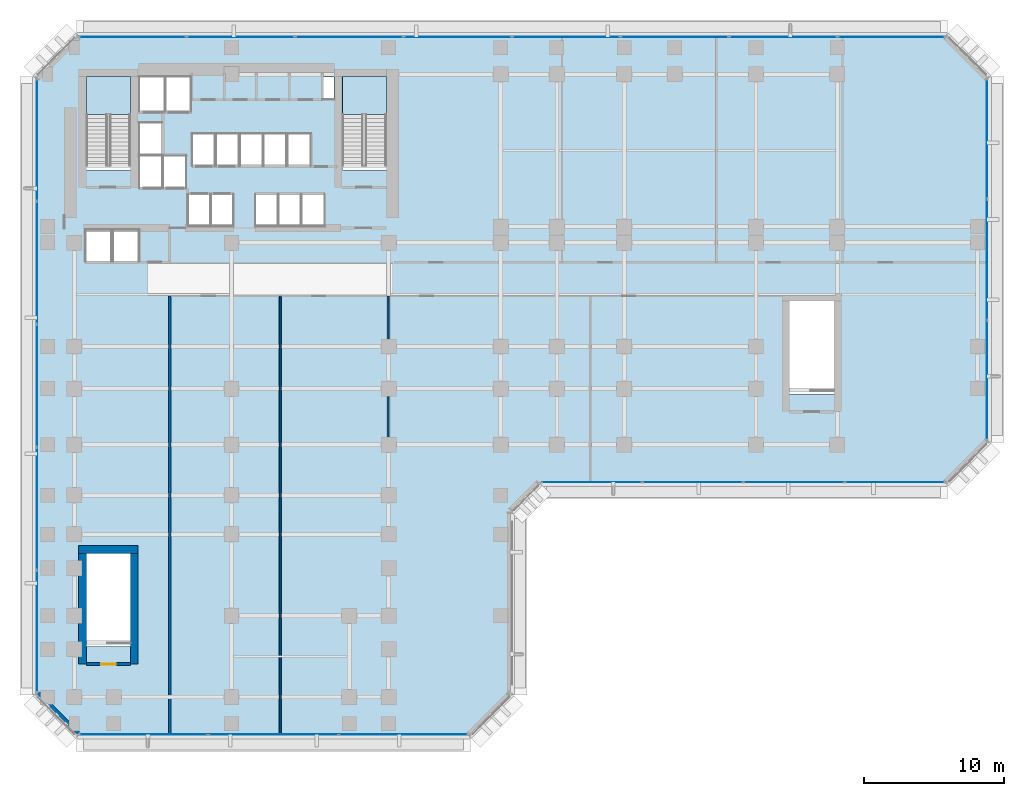
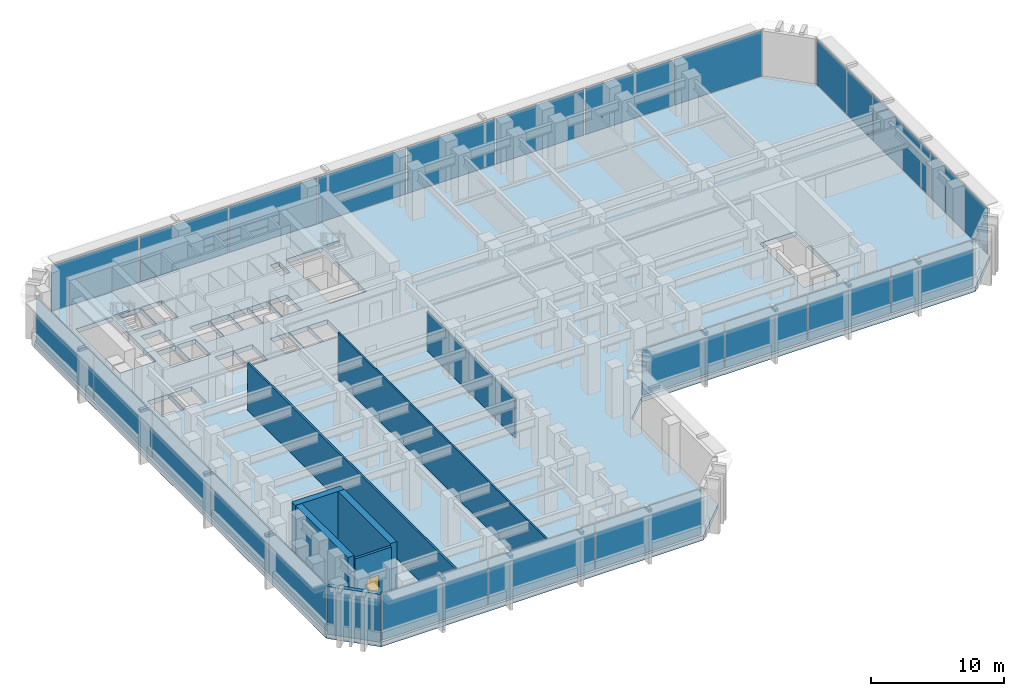
# One storey, part 6 of 14: 23 plates, 8 walls, 3 slabs, 1 door, 1 opening, 7 elements without a shape of their own.
"""IFC4 building model written with IfcOpenShell, lengths in metres."""

from ifc_helpers import new_model, si_unit, direction, frame, frame_2d, origin, origin_2d, place, context, subcontext, project, spatial, polyline, rectangle, outline, extrude, material, layer, layer_set, type_object, element, fill, aggregate, save


model = new_model("IFC4")

# Units and contexts
model_context = context("Model", 3, precision=1e-05, world=origin(), true_north=direction((0.0, 1.0)))
body_context = subcontext(model_context, "Body", "Model", "MODEL_VIEW")
ifc_project = project(units=[si_unit("LENGTHUNIT", "METRE"), si_unit("AREAUNIT", "SQUARE_METRE"), si_unit("VOLUMEUNIT", "CUBIC_METRE"), si_unit("PLANEANGLEUNIT", "RADIAN"), si_unit("MASSUNIT", "GRAM", prefix="KILO")], contexts=[model_context])

# Site, building, storey
site_placement = place(None, origin())
site = spatial("IfcSite", under=ifc_project, at=site_placement, CompositionType="ELEMENT")
building_placement = place(site_placement, origin())
building = spatial("IfcBuilding", under=site, at=building_placement, Name="Kefirva Bronze Tower", CompositionType="ELEMENT")
storey_placement = place(building_placement, frame((0.0, 0.0, 25.739990234375)))
storey = spatial("IfcBuildingStorey", under=building, at=storey_placement, Name="L05", CompositionType="ELEMENT", Elevation=25.739990234375)

# Stair, slab
ifc_material_1 = material(Name="Concrete C40/50", Category="concrete")
stair_type = type_object("IfcStairType", Name="RC Dogleg Protected Stair 28R", PredefinedType="HALF_TURN_STAIR", material=ifc_material_1)
stair_1_placement = place(storey_placement, origin())
stair_1 = element("IfcStair", 1, at=stair_1_placement, inside=storey, type_object=stair_type, Name="L05 Protected Exit Stair 1", PredefinedType="HALF_TURN_STAIR")
ifc_layer_1 = layer(ifc_material_1, 0.199951171875, Name="Concrete C40/50")
ifc_layer_set_1 = layer_set([ifc_layer_1], Name="Concrete C40/50")
slab_type_1 = type_object("IfcSlabType", Name="RC Stair Landing Slab 200mm", PredefinedType="LANDING", material=ifc_layer_set_1)
slab_1_placement = place(storey_placement, frame((0.0, 0.0, 2.110107421875)))
slab_1 = element("IfcSlab", 2, at=slab_1_placement, type_object=slab_type_1, Name="ST-1 landing 1", PredefinedType="LANDING", context=body_context, shape_type="SweptSolid", body=[
    extrude(outline(polyline([(4.800048828125, 42.340087890625), (4.800048828125, 45.050048828125), (1.64990234375, 45.050048828125), (1.64990234375, 42.340087890625), (4.800048828125, 42.340087890625)])), origin(), (0.0, 0.0, 1.0), 0.199951171875),
])
aggregate(stair_1, [slab_1])

stair_2_placement = place(storey_placement, origin())
stair_2 = element("IfcStair", 3, at=stair_2_placement, inside=storey, type_object=stair_type, Name="L05 Protected Exit Stair 2", PredefinedType="HALF_TURN_STAIR")
slab_2_placement = place(storey_placement, frame((0.0, 0.0, 2.110107421875)))
slab_2 = element("IfcSlab", 4, at=slab_2_placement, type_object=slab_type_1, Name="ST-2 landing 1", PredefinedType="LANDING", context=body_context, shape_type="SweptSolid", body=[
    extrude(outline(polyline([(23.050048828125, 42.340087890625), (23.050048828125, 45.050048828125), (19.89990234375, 45.050048828125), (19.89990234375, 42.340087890625), (23.050048828125, 42.340087890625)])), origin(), (0.0, 0.0, 1.0), 0.199951171875),
])
aggregate(stair_2, [slab_2])

# Slab
ifc_material_2 = material(Name="Concrete C50/60", Category="concrete")
ifc_layer_2 = layer(ifc_material_2, 0.419921875, Name="Concrete C50/60")
ifc_layer_set_2 = layer_set([ifc_layer_2], Name="Concrete C50/60")
slab_type_2 = type_object("IfcSlabType", Name="RC Transfer Deck Slab 420mm", PredefinedType="FLOOR", material=ifc_layer_set_2)
slab_3_placement = place(storey_placement, frame((0.0, 0.0, -0.419921875)))
element("IfcSlab", 5, at=slab_3_placement, inside=storey, type_object=slab_type_2, Name="L05 Structural Floor Slab", PredefinedType="FLOOR", context=body_context, shape_type="SweptSolid", body=[
    extrude(outline(polyline([(-2.0, 1.0), (-2.0, 45.0), (1.0, 48.0), (63.0, 48.0), (66.0, 45.0), (66.0, 19.0), (63.0, 16.0), (34.0, 16.0), (32.0, 14.0), (32.0, 1.0), (29.0, -2.0), (1.0, -2.0), (-2.0, 1.0)]), holes=[polyline([(54.949951171875, 22.39990234375), (54.949951171875, 29.050048828125), (51.800048828125, 29.050048828125), (51.800048828125, 22.39990234375), (54.949951171875, 22.39990234375)]), polyline([(19.89990234375, 38.39990234375), (23.050048828125, 38.39990234375), (23.050048828125, 45.050048828125), (19.89990234375, 45.050048828125), (19.89990234375, 38.39990234375)]), polyline([(18.52001953125, 43.419921875), (19.320068359375, 43.419921875), (19.320068359375, 45.0), (18.52001953125, 45.0), (18.52001953125, 43.419921875)]), polyline([(17.0, 34.35009765625), (18.64990234375, 34.35009765625), (18.64990234375, 36.64990234375), (17.0, 36.64990234375), (17.0, 34.35009765625)]), polyline([(17.64990234375, 38.679931640625), (17.64990234375, 40.97998046875), (16.0, 40.97998046875), (16.0, 38.679931640625), (17.64990234375, 38.679931640625)]), polyline([(15.35009765625, 34.35009765625), (16.949951171875, 34.35009765625), (16.949951171875, 36.64990234375), (15.35009765625, 36.64990234375), (15.35009765625, 34.35009765625)]), polyline([(14.300048828125, 38.679931640625), (15.929931640625, 38.679931640625), (15.929931640625, 40.97998046875), (14.300048828125, 40.97998046875), (14.300048828125, 38.679931640625)]), polyline([(15.300048828125, 34.35009765625), (15.300048828125, 36.64990234375), (13.699951171875, 36.64990234375), (13.699951171875, 34.35009765625), (15.300048828125, 34.35009765625)]), polyline([(12.60009765625, 38.679931640625), (14.22998046875, 38.679931640625), (14.22998046875, 40.97998046875), (12.60009765625, 40.97998046875), (12.60009765625, 38.679931640625)]), polyline([(12.530029296875, 38.679931640625), (12.530029296875, 40.97998046875), (10.89990234375, 40.97998046875), (10.89990234375, 38.679931640625), (12.530029296875, 38.679931640625)]), polyline([(12.139892578125, 34.35009765625), (12.139892578125, 36.64990234375), (10.5400390625, 36.64990234375), (10.5400390625, 34.35009765625), (12.139892578125, 34.35009765625)]), polyline([(9.199951171875, 38.679931640625), (10.830078125, 38.679931640625), (10.830078125, 40.97998046875), (9.199951171875, 40.97998046875), (9.199951171875, 38.679931640625)]), polyline([(8.89990234375, 34.35009765625), (10.5, 34.35009765625), (10.5, 36.64990234375), (8.89990234375, 36.64990234375), (8.89990234375, 34.35009765625)]), polyline([(7.300048828125, 42.550048828125), (9.1201171875, 42.550048828125), (9.1201171875, 45.050048828125), (7.300048828125, 45.050048828125), (7.300048828125, 42.550048828125)]), polyline([(8.780029296875, 37.10009765625), (8.780029296875, 39.39990234375), (7.139892578125, 39.39990234375), (7.139892578125, 37.10009765625), (8.780029296875, 37.10009765625)]), polyline([(5.419921875, 42.550048828125), (7.239990234375, 42.550048828125), (7.239990234375, 45.050048828125), (5.419921875, 45.050048828125), (5.419921875, 42.550048828125)]), polyline([(5.419921875, 39.47998046875), (7.06005859375, 39.47998046875), (7.06005859375, 41.780029296875), (5.419921875, 41.780029296875), (5.419921875, 39.47998046875)]), polyline([(5.419921875, 37.10009765625), (7.06005859375, 37.10009765625), (7.06005859375, 39.39990234375), (5.419921875, 39.39990234375), (5.419921875, 37.10009765625)]), polyline([(5.39990234375, 31.85009765625), (5.39990234375, 34.14990234375), (3.550048828125, 34.14990234375), (3.550048828125, 31.85009765625), (5.39990234375, 31.85009765625)]), polyline([(4.800048828125, 38.39990234375), (4.800048828125, 45.050048828125), (1.64990234375, 45.050048828125), (1.64990234375, 38.39990234375), (4.800048828125, 38.39990234375)]), polyline([(4.800048828125, 4.39990234375), (4.800048828125, 11.050048828125), (1.64990234375, 11.050048828125), (1.64990234375, 4.39990234375), (4.800048828125, 4.39990234375)]), polyline([(3.449951171875, 31.85009765625), (3.449951171875, 34.14990234375), (1.60009765625, 34.14990234375), (1.60009765625, 31.85009765625), (3.449951171875, 31.85009765625)])]), origin(), (0.0, 0.0, 1.0), 0.419921875),
])

# Curtain wall, plates
ifc_material_3 = material(Name="Bronze anodised aluminium", Category="aluminium")
ifc_layer_3 = layer(ifc_material_3, 0.239990234375, Name="Bronze anodised aluminium")
ifc_layer_set_3 = layer_set([ifc_layer_3], Name="Bronze anodised aluminium")
curtain_wall_type = type_object("IfcCurtainWallType", Name="Podium Double-Height Glazed Curtain Wall", PredefinedType="USERDEFINED", material=ifc_layer_set_3)
curtain_wall_1_placement = place(storey_placement, origin())
curtain_wall_1 = element("IfcCurtainWall", 6, at=curtain_wall_1_placement, inside=storey, type_object=curtain_wall_type, Name="L05 Curtain Wall 1", ObjectType="UNITISED CURTAIN WALL", PredefinedType="USERDEFINED")
ifc_material_4 = material(Name="Laminated low-E double glazing", Category="glass")
ifc_layer_4 = layer(ifc_material_4, 0.031982421875, Name="Laminated low-E double glazing")
ifc_layer_set_4 = layer_set([ifc_layer_4], Name="Laminated low-E double glazing")
plate_type = type_object("IfcPlateType", Name="Solar-Control Low-E Vision Panel 32mm", PredefinedType="CURTAIN_PANEL", material=ifc_layer_set_4)
plate_1_placement = place(storey_placement, frame((5.725830078125, -1.8798828125, 0.090087890625), z_axis=(0.0, 0.0, 1.0), x_axis=(1.0, 0.0, 0.0)))
plate_1 = element("IfcPlate", 7, at=plate_1_placement, type_object=plate_type, Name="CW-05 panel 1.1", PredefinedType="CURTAIN_PANEL", context=body_context, shape_type="SweptSolid", body=[
    extrude(rectangle(XDim=9.16162109375, YDim=0.031982421875, at=origin_2d()), origin(), (0.0, 0.0, 1.0), 4.18994140625),
])
plate_2_placement = place(storey_placement, frame((15.0, -1.8798828125, 0.090087890625), z_axis=(0.0, 0.0, 1.0), x_axis=(1.0, 0.0, 0.0)))
plate_2 = element("IfcPlate", 8, at=plate_2_placement, type_object=plate_type, Name="CW-05 panel 2.1", PredefinedType="CURTAIN_PANEL", context=body_context, shape_type="SweptSolid", body=[
    extrude(rectangle(XDim=9.206787109375, YDim=0.031982421875, at=origin_2d()), origin(), (0.0, 0.0, 1.0), 4.18994140625),
])
plate_3_placement = place(storey_placement, frame((24.274169921875, -1.8798828125, 0.090087890625), z_axis=(0.0, 0.0, 1.0), x_axis=(1.0, 0.0, 0.0)))
plate_3 = element("IfcPlate", 9, at=plate_3_placement, type_object=plate_type, Name="CW-05 panel 3.1", PredefinedType="CURTAIN_PANEL", context=body_context, shape_type="SweptSolid", body=[
    extrude(rectangle(XDim=9.16162109375, YDim=0.031982421875, at=origin_2d()), origin(), (0.0, 0.0, 1.0), 4.18994140625),
])
aggregate(curtain_wall_1, [plate_1, plate_2, plate_3])

curtain_wall_2_placement = place(storey_placement, origin())
curtain_wall_2 = element("IfcCurtainWall", 10, at=curtain_wall_2_placement, inside=storey, type_object=curtain_wall_type, Name="L05 Curtain Wall 2", ObjectType="UNITISED CURTAIN WALL", PredefinedType="USERDEFINED")
plate_4_placement = place(storey_placement, frame((37.688720703125, 16.1201171875, 0.090087890625), z_axis=(0.0, 0.0, 1.0), x_axis=(1.0, 0.0, 0.0)))
plate_4 = element("IfcPlate", 11, at=plate_4_placement, type_object=plate_type, Name="CW-05 panel 1.1", PredefinedType="CURTAIN_PANEL", context=body_context, shape_type="SweptSolid", body=[
    extrude(rectangle(XDim=7.08740234375, YDim=0.031982421875, at=origin_2d()), origin(), (0.0, 0.0, 1.0), 4.18994140625),
])
plate_5_placement = place(storey_placement, frame((44.888671875, 16.1201171875, 0.090087890625), z_axis=(0.0, 0.0, 1.0), x_axis=(1.0, 0.0, 0.0)))
plate_5 = element("IfcPlate", 12, at=plate_5_placement, type_object=plate_type, Name="CW-05 panel 2.1", PredefinedType="CURTAIN_PANEL", context=body_context, shape_type="SweptSolid", body=[
    extrude(rectangle(XDim=7.132568359375, YDim=0.031982421875, at=origin_2d()), origin(), (0.0, 0.0, 1.0), 4.18994140625),
])
plate_6_placement = place(storey_placement, frame((52.111328125, 16.1201171875, 0.090087890625), z_axis=(0.0, 0.0, 1.0), x_axis=(1.0, 0.0, 0.0)))
plate_6 = element("IfcPlate", 13, at=plate_6_placement, type_object=plate_type, Name="CW-05 panel 3.1", PredefinedType="CURTAIN_PANEL", context=body_context, shape_type="SweptSolid", body=[
    extrude(rectangle(XDim=7.132568359375, YDim=0.031982421875, at=origin_2d()), origin(), (0.0, 0.0, 1.0), 4.18994140625),
])
plate_7_placement = place(storey_placement, frame((59.311279296875, 16.1201171875, 0.090087890625), z_axis=(0.0, 0.0, 1.0), x_axis=(1.0, 0.0, 0.0)))
plate_7 = element("IfcPlate", 14, at=plate_7_placement, type_object=plate_type, Name="CW-05 panel 4.1", PredefinedType="CURTAIN_PANEL", context=body_context, shape_type="SweptSolid", body=[
    extrude(rectangle(XDim=7.08740234375, YDim=0.031982421875, at=origin_2d()), origin(), (0.0, 0.0, 1.0), 4.18994140625),
])
aggregate(curtain_wall_2, [plate_4, plate_5, plate_6, plate_7])

curtain_wall_3_placement = place(storey_placement, origin())
curtain_wall_3 = element("IfcCurtainWall", 15, at=curtain_wall_3_placement, inside=storey, type_object=curtain_wall_type, Name="L05 Curtain Wall 3", ObjectType="UNITISED CURTAIN WALL", PredefinedType="USERDEFINED")
plate_8_placement = place(storey_placement, frame((65.8798828125, 23.392578125, 0.090087890625), z_axis=(0.0, 0.0, 1.0), x_axis=(0.0, 1.0, 0.0)))
plate_8 = element("IfcPlate", 16, at=plate_8_placement, type_object=plate_type, Name="CW-05 panel 1.1", PredefinedType="CURTAIN_PANEL", context=body_context, shape_type="SweptSolid", body=[
    extrude(rectangle(XDim=8.4951171875, YDim=0.031982421875, at=origin_2d()), origin(), (0.0, 0.0, 1.0), 4.18994140625),
])
plate_9_placement = place(storey_placement, frame((65.8798828125, 32.0, 0.090087890625), z_axis=(0.0, 0.0, 1.0), x_axis=(0.0, 1.0, 0.0)))
plate_9 = element("IfcPlate", 17, at=plate_9_placement, type_object=plate_type, Name="CW-05 panel 2.1", PredefinedType="CURTAIN_PANEL", context=body_context, shape_type="SweptSolid", body=[
    extrude(rectangle(XDim=8.5400390625, YDim=0.031982421875, at=origin_2d()), origin(), (0.0, 0.0, 1.0), 4.18994140625),
])
plate_10_placement = place(storey_placement, frame((65.8798828125, 40.607421875, 0.090087890625), z_axis=(0.0, 0.0, 1.0), x_axis=(0.0, 1.0, 0.0)))
plate_10 = element("IfcPlate", 18, at=plate_10_placement, type_object=plate_type, Name="CW-05 panel 3.1", PredefinedType="CURTAIN_PANEL", context=body_context, shape_type="SweptSolid", body=[
    extrude(rectangle(XDim=8.4951171875, YDim=0.031982421875, at=origin_2d()), origin(), (0.0, 0.0, 1.0), 4.18994140625),
])
aggregate(curtain_wall_3, [plate_8, plate_9, plate_10])

curtain_wall_4_placement = place(storey_placement, origin())
curtain_wall_4 = element("IfcCurtainWall", 19, at=curtain_wall_4_placement, inside=storey, type_object=curtain_wall_type, Name="L05 Curtain Wall 4", ObjectType="UNITISED CURTAIN WALL", PredefinedType="USERDEFINED")
plate_11_placement = place(storey_placement, frame((59.054443359375, 47.8798828125, 0.090087890625), z_axis=(0.0, 0.0, 1.0), x_axis=(-1.0, 0.0, 0.0)))
plate_11 = element("IfcPlate", 20, at=plate_11_placement, type_object=plate_type, Name="CW-05 panel 1.1", PredefinedType="CURTAIN_PANEL", context=body_context, shape_type="SweptSolid", body=[
    extrude(rectangle(XDim=7.601318359375, YDim=0.031982421875, at=origin_2d()), origin(), (0.0, 0.0, 1.0), 4.18994140625),
])
plate_12_placement = place(storey_placement, frame((51.340576171875, 47.8798828125, 0.090087890625), z_axis=(0.0, 0.0, 1.0), x_axis=(-1.0, 0.0, 0.0)))
plate_12 = element("IfcPlate", 21, at=plate_12_placement, type_object=plate_type, Name="CW-05 panel 2.1", PredefinedType="CURTAIN_PANEL", context=body_context, shape_type="SweptSolid", body=[
    extrude(rectangle(XDim=7.646240234375, YDim=0.031982421875, at=origin_2d()), origin(), (0.0, 0.0, 1.0), 4.18994140625),
])
plate_13_placement = place(storey_placement, frame((43.6044921875, 47.8798828125, 0.090087890625), z_axis=(0.0, 0.0, 1.0), x_axis=(-1.0, 0.0, 0.0)))
plate_13 = element("IfcPlate", 22, at=plate_13_placement, type_object=plate_type, Name="CW-05 panel 3.1", PredefinedType="CURTAIN_PANEL", context=body_context, shape_type="SweptSolid", body=[
    extrude(rectangle(XDim=7.646240234375, YDim=0.031982421875, at=origin_2d()), origin(), (0.0, 0.0, 1.0), 4.18994140625),
])
plate_14_placement = place(storey_placement, frame((35.8681640625, 47.8798828125, 0.090087890625), z_axis=(0.0, 0.0, 1.0), x_axis=(-1.0, 0.0, 0.0)))
plate_14 = element("IfcPlate", 23, at=plate_14_placement, type_object=plate_type, Name="CW-05 panel 4.1", PredefinedType="CURTAIN_PANEL", context=body_context, shape_type="SweptSolid", body=[
    extrude(rectangle(XDim=7.646240234375, YDim=0.031982421875, at=origin_2d()), origin(), (0.0, 0.0, 1.0), 4.18994140625),
])
plate_15_placement = place(storey_placement, frame((28.1318359375, 47.8798828125, 0.090087890625), z_axis=(0.0, 0.0, 1.0), x_axis=(-1.0, 0.0, 0.0)))
plate_15 = element("IfcPlate", 24, at=plate_15_placement, type_object=plate_type, Name="CW-05 panel 5.1", PredefinedType="CURTAIN_PANEL", context=body_context, shape_type="SweptSolid", body=[
    extrude(rectangle(XDim=7.646240234375, YDim=0.031982421875, at=origin_2d()), origin(), (0.0, 0.0, 1.0), 4.18994140625),
])
plate_16_placement = place(storey_placement, frame((20.3955078125, 47.8798828125, 0.090087890625), z_axis=(0.0, 0.0, 1.0), x_axis=(-1.0, 0.0, 0.0)))
plate_16 = element("IfcPlate", 25, at=plate_16_placement, type_object=plate_type, Name="CW-05 panel 6.1", PredefinedType="CURTAIN_PANEL", context=body_context, shape_type="SweptSolid", body=[
    extrude(rectangle(XDim=7.646240234375, YDim=0.031982421875, at=origin_2d()), origin(), (0.0, 0.0, 1.0), 4.18994140625),
])
plate_17_placement = place(storey_placement, frame((12.659423828125, 47.8798828125, 0.090087890625), z_axis=(0.0, 0.0, 1.0), x_axis=(-1.0, 0.0, 0.0)))
plate_17 = element("IfcPlate", 26, at=plate_17_placement, type_object=plate_type, Name="CW-05 panel 7.1", PredefinedType="CURTAIN_PANEL", context=body_context, shape_type="SweptSolid", body=[
    extrude(rectangle(XDim=7.646240234375, YDim=0.031982421875, at=origin_2d()), origin(), (0.0, 0.0, 1.0), 4.18994140625),
])
plate_18_placement = place(storey_placement, frame((4.945556640625, 47.8798828125, 0.090087890625), z_axis=(0.0, 0.0, 1.0), x_axis=(-1.0, 0.0, 0.0)))
plate_18 = element("IfcPlate", 27, at=plate_18_placement, type_object=plate_type, Name="CW-05 panel 8.1", PredefinedType="CURTAIN_PANEL", context=body_context, shape_type="SweptSolid", body=[
    extrude(rectangle(XDim=7.601318359375, YDim=0.031982421875, at=origin_2d()), origin(), (0.0, 0.0, 1.0), 4.18994140625),
])
aggregate(curtain_wall_4, [plate_11, plate_12, plate_13, plate_14, plate_15, plate_16, plate_17, plate_18])

curtain_wall_5_placement = place(storey_placement, origin())
curtain_wall_5 = element("IfcCurtainWall", 28, at=curtain_wall_5_placement, inside=storey, type_object=curtain_wall_type, Name="L05 Curtain Wall 5", ObjectType="UNITISED CURTAIN WALL", PredefinedType="USERDEFINED")
plate_19_placement = place(storey_placement, frame((-1.8798828125, 40.533447265625, 0.090087890625), z_axis=(0.0, 0.0, 1.0), x_axis=(0.0, -1.0, 0.0)))
plate_19 = element("IfcPlate", 29, at=plate_19_placement, type_object=plate_type, Name="CW-05 panel 1.1", PredefinedType="CURTAIN_PANEL", context=body_context, shape_type="SweptSolid", body=[
    extrude(rectangle(XDim=8.64306640625, YDim=0.031982421875, at=origin_2d()), origin(), (0.0, 0.0, 1.0), 4.18994140625),
])
plate_20_placement = place(storey_placement, frame((-1.8798828125, 31.778076171875, 0.090087890625), z_axis=(0.0, 0.0, 1.0), x_axis=(0.0, -1.0, 0.0)))
plate_20 = element("IfcPlate", 30, at=plate_20_placement, type_object=plate_type, Name="CW-05 panel 2.1", PredefinedType="CURTAIN_PANEL", context=body_context, shape_type="SweptSolid", body=[
    extrude(rectangle(XDim=8.68798828125, YDim=0.031982421875, at=origin_2d()), origin(), (0.0, 0.0, 1.0), 4.18994140625),
])
plate_21_placement = place(storey_placement, frame((-1.8798828125, 23.0, 0.090087890625), z_axis=(0.0, 0.0, 1.0), x_axis=(0.0, -1.0, 0.0)))
plate_21 = element("IfcPlate", 31, at=plate_21_placement, type_object=plate_type, Name="CW-05 panel 3.1", PredefinedType="CURTAIN_PANEL", context=body_context, shape_type="SweptSolid", body=[
    extrude(rectangle(XDim=8.68798828125, YDim=0.031982421875, at=origin_2d()), origin(), (0.0, 0.0, 1.0), 4.18994140625),
])
plate_22_placement = place(storey_placement, frame((-1.8798828125, 14.221923828125, 0.090087890625), z_axis=(0.0, 0.0, 1.0), x_axis=(0.0, -1.0, 0.0)))
plate_22 = element("IfcPlate", 32, at=plate_22_placement, type_object=plate_type, Name="CW-05 panel 4.1", PredefinedType="CURTAIN_PANEL", context=body_context, shape_type="SweptSolid", body=[
    extrude(rectangle(XDim=8.68798828125, YDim=0.031982421875, at=origin_2d()), origin(), (0.0, 0.0, 1.0), 4.18994140625),
])
plate_23_placement = place(storey_placement, frame((-1.8798828125, 5.466552734375, 0.090087890625), z_axis=(0.0, 0.0, 1.0), x_axis=(0.0, -1.0, 0.0)))
plate_23 = element("IfcPlate", 33, at=plate_23_placement, type_object=plate_type, Name="CW-05 panel 5.1", PredefinedType="CURTAIN_PANEL", context=body_context, shape_type="SweptSolid", body=[
    extrude(rectangle(XDim=8.64306640625, YDim=0.031982421875, at=origin_2d()), origin(), (0.0, 0.0, 1.0), 4.18994140625),
])
aggregate(curtain_wall_5, [plate_19, plate_20, plate_21, plate_22, plate_23])

# Walls
ifc_material_5 = material(Name="Gypsum acoustic partition")
ifc_layer_5 = layer(ifc_material_5, 0.1298828125, Name="Gypsum acoustic partition")
ifc_layer_set_5 = layer_set([ifc_layer_5], Name="Gypsum acoustic partition")
wall_type_1 = type_object("IfcWallType", Name="Acoustic Office Partition 130mm", PredefinedType="PARTITIONING", material=ifc_layer_set_5)
wall_1_placement = place(storey_placement, frame((15.469970703125, -1.81005859375, 0.0), z_axis=(0.0, 0.0, 1.0), x_axis=(0.0, 1.0, 0.0)))
element("IfcWall", 34, at=wall_1_placement, inside=storey, type_object=wall_type_1, Name="L05 Partition W-L05-SDV1", PredefinedType="PARTITIONING", context=body_context, shape_type="SweptSolid", body=[
    extrude(rectangle(XDim=31.2099609375, YDim=0.1298828125, at=frame_2d((15.60498046875, 0.0))), origin(), (0.0, 0.0, 1.0), 4.3701171875),
])
wall_2_placement = place(storey_placement, frame((23.169921875, 16.18994140625, 0.0), z_axis=(0.0, 0.0, 1.0), x_axis=(0.0, 1.0, 0.0)))
element("IfcWall", 35, at=wall_2_placement, inside=storey, type_object=wall_type_1, Name="L05 Partition W-L05-SDV2", PredefinedType="PARTITIONING", context=body_context, shape_type="SweptSolid", body=[
    extrude(rectangle(XDim=13.2099609375, YDim=0.1298828125, at=frame_2d((6.60498046875, 0.0))), origin(), (0.0, 0.0, 1.0), 3.554931640625),
])

# Wall, opening, door
ifc_material_6 = material(Name="Gypsum fireboard shaftwall")
ifc_layer_6 = layer(ifc_material_6, 0.219970703125, Name="Gypsum fireboard shaftwall")
ifc_layer_set_6 = layer_set([ifc_layer_6], Name="Gypsum fireboard shaftwall")
wall_type_2 = type_object("IfcWallType", Name="Fire-Rated Shaft Enclosure Wall 220mm", PredefinedType="PARTITIONING", material=ifc_layer_set_6)
wall_3_placement = place(storey_placement, frame((1.64990234375, 3.14990234375, 0.0), z_axis=(0.0, 0.0, 1.0), x_axis=(1.0, 0.0, 0.0)))
wall_3 = element("IfcWall", 36, at=wall_3_placement, inside=storey, type_object=wall_type_2, Name="L05 Partition W-L05-ST3S", PredefinedType="PARTITIONING", context=body_context, shape_type="SweptSolid", body=[
    extrude(rectangle(XDim=3.150146484375, YDim=0.219970703125, at=frame_2d((1.5751953125, 0.0))), origin(), (0.0, 0.0, 1.0), 4.3701171875),
])
opening_placement = place(wall_3_placement, frame((2.10009765625, 0.0, 0.0), z_axis=(0.0, 0.0, 1.0), x_axis=(-1.0, 0.0, 0.0)))
opening = element("IfcOpeningElement", 37, at=opening_placement, cuts=wall_3, Name="Opening L05-D-ST3", PredefinedType="OPENING", context=body_context, shape_type="SweptSolid", body=[
    extrude(rectangle(XDim=1.050048828125, YDim=2.14990234375, at=frame_2d((0.52490234375, 1.074951171875))), frame((0.0, 0.1201171875, 0.0), z_axis=(0.0, -1.0, 0.0), x_axis=(1.0, 0.0, 0.0)), (0.0, 0.0, 1.0), 0.239990234375),
])
ifc_material_7 = material(Name="Painted galvanized steel", Category="steel")
door_type = type_object("IfcDoorType", Name="Fire Stair Enclosure Door 1050x2150 FD90S", OperationType="NOTDEFINED", PredefinedType="DOOR", material=ifc_material_7)
door_placement = place(opening_placement, origin())
door = element("IfcDoor", 38, at=door_placement, inside=storey, type_object=door_type, Name="Door L05-D-ST3", OperationType="SINGLE_SWING_LEFT", OverallHeight=2.14990234375, OverallWidth=1.050048828125, PredefinedType="DOOR", context=body_context, shape_type="SweptSolid", body=[
    extrude(rectangle(XDim=1.050048828125, YDim=2.14990234375, at=frame_2d((0.52490234375, 1.074951171875))), frame((0.0, 0.02490234375, 0.0), z_axis=(0.0, -1.0, 0.0), x_axis=(1.0, 0.0, 0.0)), (0.0, 0.0, 1.0), 0.050048828125),
])
fill(opening, door)

# Walls
ifc_material_8 = material(Name="Precast concrete C40/50", Category="concrete")
ifc_layer_7 = layer(ifc_material_8, 0.360107421875, Name="Precast concrete C40/50")
ifc_layer_set_7 = layer_set([ifc_layer_7], Name="Precast concrete C40/50")
wall_type_3 = type_object("IfcWallType", Name="Precast Podium Facade Wall 360mm", PredefinedType="SOLIDWALL", material=ifc_layer_set_7)
wall_4_placement = place(storey_placement, frame((-1.833740234375, 1.08837890625, 0.0), z_axis=(0.0, 0.0, 1.0), x_axis=(0.707106781187, -0.707106781187, 0.0)))
element("IfcWall", 39, at=wall_4_placement, inside=storey, type_object=wall_type_3, Name="L05 Exterior Facade Wall 7", PredefinedType="SOLIDWALL", context=body_context, shape_type="SweptSolid", body=[
    extrude(rectangle(XDim=4.132568359375, YDim=0.360107421875, at=frame_2d((2.06640625, 0.0))), origin(), (0.0, 0.0, 1.0), 4.3701171875),
])
ifc_layer_8 = layer(ifc_material_5, 0.159912109375, Name="Gypsum acoustic partition")
ifc_layer_set_8 = layer_set([ifc_layer_8], Name="Gypsum acoustic partition")
wall_type_4 = type_object("IfcWallType", Name="Protected Corridor Partition 160mm", PredefinedType="PARTITIONING", material=ifc_layer_set_8)
wall_5_placement = place(storey_placement, frame((7.60009765625, -1.81005859375, 0.0), z_axis=(0.0, 0.0, 1.0), x_axis=(0.0, 1.0, 0.0)))
element("IfcWall", 40, at=wall_5_placement, inside=storey, type_object=wall_type_4, Name="L05 Partition W-L05-SWCE", PredefinedType="PARTITIONING", context=body_context, shape_type="SweptSolid", body=[
    extrude(rectangle(XDim=31.2099609375, YDim=0.159912109375, at=frame_2d((15.60498046875, 0.0))), origin(), (0.0, 0.0, 1.0), 4.3701171875),
])
ifc_layer_9 = layer(ifc_material_2, 0.550048828125, Name="Concrete C50/60")
ifc_layer_set_9 = layer_set([ifc_layer_9], Name="Concrete C50/60")
wall_type_5 = type_object("IfcWallType", Name="RC Rear Core Interior Wall 550mm", PredefinedType="SHEAR", material=ifc_layer_set_9)
for number, where, z_axis, x_axis, name in (
    (41, (1.3701171875, 3.14990234375, 0.0), (0.0, 0.0, 1.0), (0.0, 1.0, 0.0), "L05 Stair 3 West Shear Wall"),
    (42, (5.070068359375, 3.14990234375, 0.0), (0.0, 0.0, 1.0), (0.0, 1.0, 0.0), "L05 Stair 3 East Shear Wall"),
):
    element("IfcWall", number, at=place(storey_placement, frame(where, z_axis=z_axis, x_axis=x_axis)), inside=storey, type_object=wall_type_5, Name=name, PredefinedType="SHEAR", context=body_context, shape_type="SweptSolid", body=[
        extrude(rectangle(XDim=7.89013671875, YDim=0.550048828125, at=frame_2d((3.945068359375, 0.0))), origin(), (0.0, 0.0, 1.0), 4.6201171875),
    ])
wall_6_placement = place(storey_placement, frame((1.10009765625, 11.320068359375, 0.0), z_axis=(0.0, 0.0, 1.0), x_axis=(1.0, 0.0, 0.0)))
element("IfcWall", 43, at=wall_6_placement, inside=storey, type_object=wall_type_5, Name="L05 Stair 3 North Shear Wall", PredefinedType="SHEAR", context=body_context, shape_type="SweptSolid", body=[
    extrude(rectangle(XDim=4.239990234375, YDim=0.550048828125, at=frame_2d((2.1201171875, 0.0))), origin(), (0.0, 0.0, 1.0), 4.6201171875),
])

save(model, "model.ifc")
